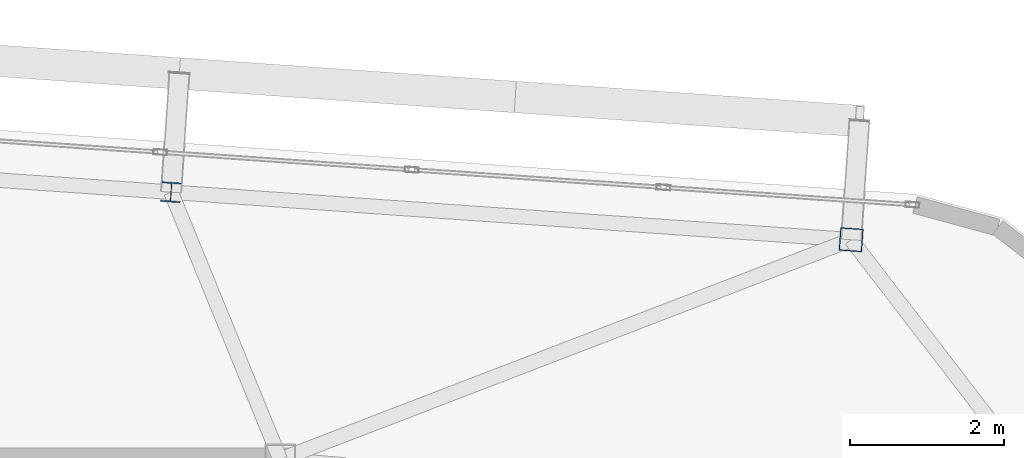
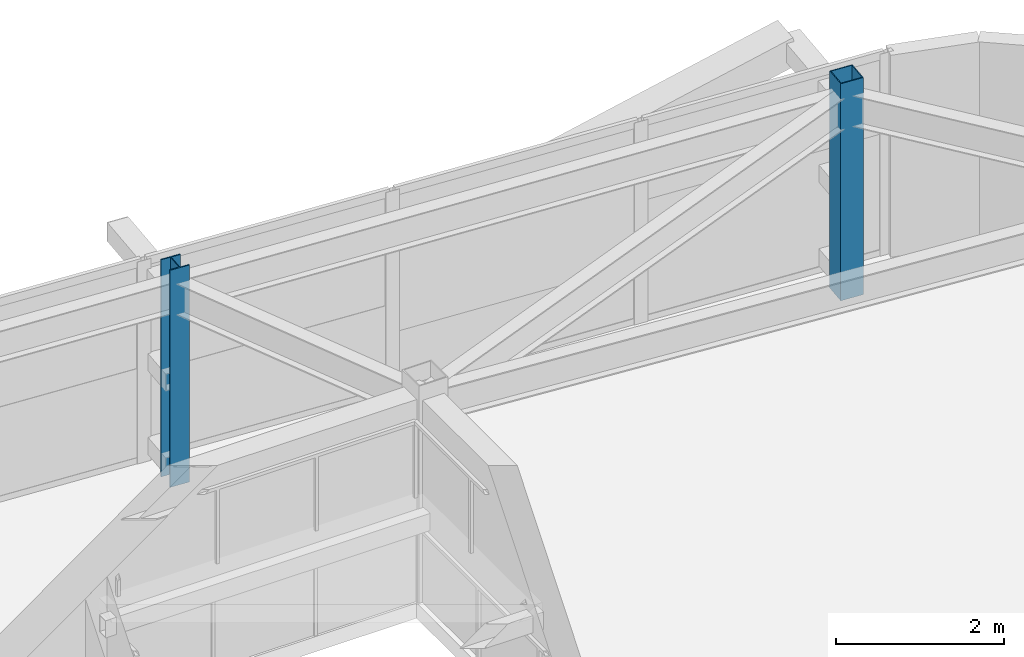
# One storey, part 5 of 47: 2 columns.
"""IFC4 building model written with IfcOpenShell, lengths in metres."""

from ifc_helpers import new_model, si_unit, direction, frame, origin, origin_2d, place, context, subcontext, project, spatial, hollow_rectangle, i_section, extrude, source, transform, mapped, material, material_profile, profile_set, type_object, element, save


model = new_model("IFC4")

# Units and contexts
model_context = context("Model", 3, precision=1e-05, world=origin(), true_north=direction((0.0, 1.0)))
body_context = subcontext(model_context, "Body", "Model", "MODEL_VIEW")
ifc_project = project(units=[si_unit("LENGTHUNIT", "METRE"), si_unit("AREAUNIT", "SQUARE_METRE"), si_unit("VOLUMEUNIT", "CUBIC_METRE"), si_unit("PLANEANGLEUNIT", "RADIAN"), si_unit("MASSUNIT", "GRAM", prefix="KILO")], contexts=[model_context])

# Site, building, storey
site_placement = place(None, origin())
site = spatial("IfcSite", under=ifc_project, at=site_placement, CompositionType="ELEMENT")
building_placement = place(site_placement, origin())
building = spatial("IfcBuilding", under=site, at=building_placement, Name="Taldren Reach Tower", CompositionType="ELEMENT")
storey_placement = place(building_placement, frame((0.0, 0.0, 139.300048828125)))
storey = spatial("IfcBuildingStorey", under=building, at=storey_placement, Name="L42", CompositionType="ELEMENT", Elevation=139.300048828125)

# Columns
ifc_material_1 = material(Name="Steel Gr 450 (C450L0)", Category="steel")
ifc_material_profile_1 = material_profile(ifc_material_1, hollow_rectangle(XDim=0.300048828125, YDim=0.300048828125, WallThickness=0.012451171875, at=origin_2d()), Name="300x300x12.5SHS")
ifc_profile_set_1 = profile_set([ifc_material_profile_1], Name="Steel Gr 450 (C450L0)")
column_type_1 = type_object("IfcColumnType", Name="COL-SHS300", PredefinedType="COLUMN", material=ifc_profile_set_1)
shared_shape_1 = source(origin(), body_context, "Body", "SweptSolid", [
    extrude(hollow_rectangle(XDim=0.300048828125, YDim=0.300048828125, WallThickness=0.012451171875, at=origin_2d()), origin(), (0.0, 0.0, 1.0), 3.14990234375),
])
column_1_placement = place(storey_placement, frame((58.4365234375, 34.861572265625, 0.0), z_axis=(0.0, 0.0, 1.0), x_axis=(0.99756405026, -0.069756473744, 0.0)))
element("IfcColumn", 1, at=column_1_placement, inside=storey, type_object=column_type_1, Name="Block B3 perimeter column N6 L42", PredefinedType="COLUMN", context=body_context, shape_type="MappedRepresentation", body=[
    mapped(shared_shape_1, transform((0.0, 0.0, 0.0), scale=1.0)),
])
ifc_material_2 = material(Name="Steel Gr 350 (350PLUS)", Category="steel")
ifc_material_profile_2 = material_profile(ifc_material_2, i_section(OverallWidth=0.256103515625, OverallDepth=0.260009765625, WebThickness=0.010498046875, FlangeThickness=0.017333984375, at=origin_2d()), Name="250UC89.5")
ifc_profile_set_2 = profile_set([ifc_material_profile_2], Name="Steel Gr 350 (350PLUS)")
column_type_2 = type_object("IfcColumnType", Name="COL-UC250", PredefinedType="COLUMN", material=ifc_profile_set_2)
shared_shape_2 = source(origin(), body_context, "Body", "SweptSolid", [
    extrude(i_section(OverallWidth=0.256103515625, OverallDepth=0.260009765625, WebThickness=0.010498046875, FlangeThickness=0.017333984375, at=origin_2d()), origin(), (0.0, 0.0, 1.0), 3.14990234375),
])
column_2_placement = place(storey_placement, frame((49.578125, 35.48095703125, 0.0), z_axis=(0.0, 0.0, 1.0), x_axis=(0.99756405026, -0.069756473744, 0.0)))
element("IfcColumn", 2, at=column_2_placement, inside=storey, type_object=column_type_2, Name="Block B3 perimeter column N5 L42", PredefinedType="COLUMN", context=body_context, shape_type="MappedRepresentation", body=[
    mapped(shared_shape_2, transform((0.0, 0.0, 0.0), scale=1.0)),
])

save(model, "model.ifc")
